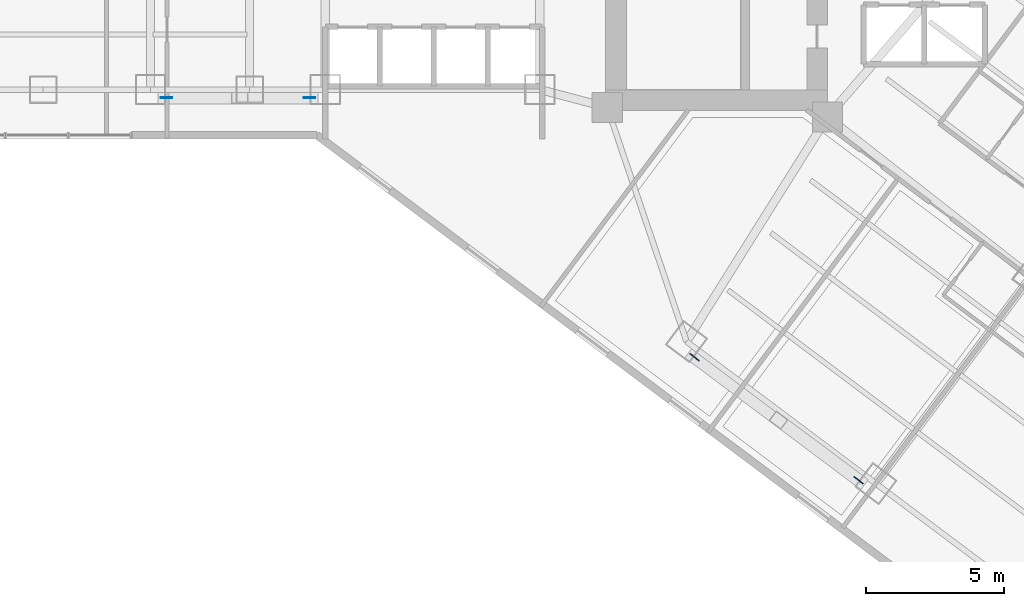
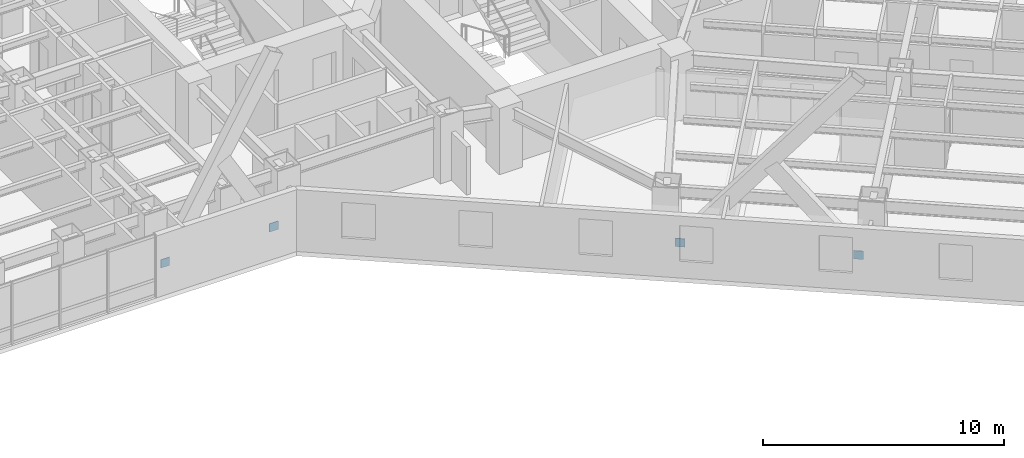
# One storey, part 22 of 33: 4 plates.
"""IFC4 building model written with IfcOpenShell, lengths in metres."""

from ifc_helpers import new_model, si_unit, direction, frame, origin, origin_2d, place, context, subcontext, project, spatial, rectangle, extrude, material, layer, layer_set, type_object, element, save


model = new_model("IFC4")

# Units and contexts
model_context = context("Model", 3, precision=1e-05, world=origin(), true_north=direction((0.0, 1.0)))
body_context = subcontext(model_context, "Body", "Model", "MODEL_VIEW")
ifc_project = project(units=[si_unit("LENGTHUNIT", "METRE"), si_unit("AREAUNIT", "SQUARE_METRE"), si_unit("VOLUMEUNIT", "CUBIC_METRE"), si_unit("PLANEANGLEUNIT", "RADIAN"), si_unit("MASSUNIT", "GRAM", prefix="KILO")], contexts=[model_context])

# Site, building, storey
site_placement = place(None, origin())
site = spatial("IfcSite", under=ifc_project, at=site_placement, CompositionType="ELEMENT")
building_placement = place(site_placement, origin())
building = spatial("IfcBuilding", under=site, at=building_placement, Name="Hatsunagi Terrace Concourse", CompositionType="ELEMENT")
storey_placement = place(building_placement, frame((0.0, 0.0, 43.300048828125)))
storey = spatial("IfcBuildingStorey", under=building, at=storey_placement, Name="L10", CompositionType="ELEMENT", Elevation=43.300048828125)

# Plates
ifc_material = material(Name="Steel SN490C", Category="steel")
ifc_layer = layer(ifc_material, 0.031982421875)
ifc_layer_set = layer_set([ifc_layer], Name="XBraceNodeCapPlate_32")
plate_type = type_object("IfcPlateType", Name="XBraceNodeCapPlate_32", PredefinedType="USERDEFINED", material=ifc_layer_set)
for number, where, z_axis, x_axis, name in (
    (1, (19.77490234375, 24.89990234375, 0.22998046875), (0.0, 0.0, 1.0), (1.0, 0.0, 0.0), "Cast-In Core and Node Embed Plate GP-02 EP-XB-L10-W1-AB"),
    (2, (24.97509765625, 24.89990234375, 0.22998046875), (0.0, 0.0, 1.0), (1.0, 0.0, 0.0), "Cast-In Core and Node Embed Plate GP-02 EP-XB-L10-W1-BB"),
    (3, (38.971923828125, 15.470947265625, 0.22998046875), (0.0, 0.0, 1.0), (0.799999996291, -0.600000004945, 0.0), "Cast-In Core and Node Embed Plate GP-02 EP-XB-L10-SE-AB"),
    (4, (44.931884765625, 11.0009765625, 0.22998046875), (0.0, 0.0, 1.0), (0.799999996291, -0.600000004945, 0.0), "Cast-In Core and Node Embed Plate GP-02 EP-XB-L10-SE-BB"),
):
    element("IfcPlate", number, at=place(storey_placement, frame(where, z_axis=z_axis, x_axis=x_axis)), inside=storey, type_object=plate_type, Name=name, ObjectType="GUSSET_PLATE", PredefinedType="USERDEFINED", context=body_context, shape_type="SweptSolid", body=[
        extrude(rectangle(XDim=0.419921875, YDim=0.031982421875, at=origin_2d()), origin(), (0.0, 0.0, 1.0), 0.419921875),
    ])

save(model, "model.ifc")
